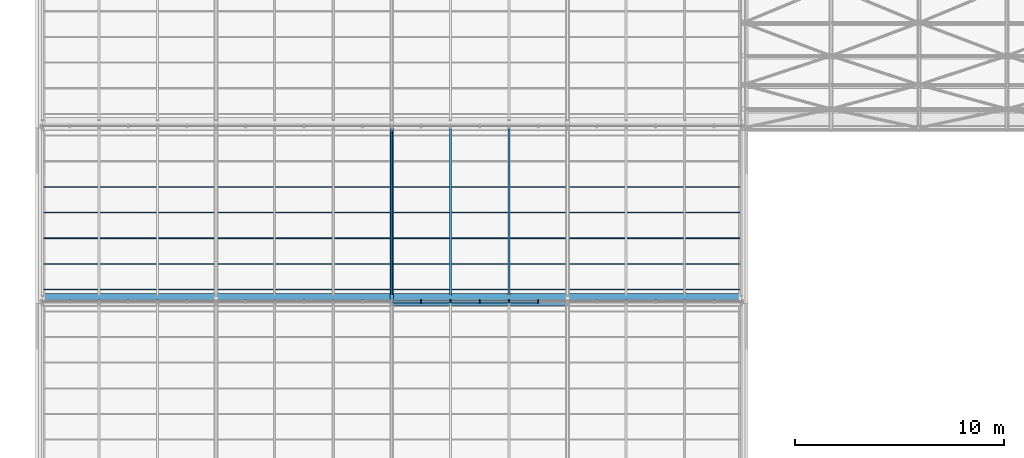
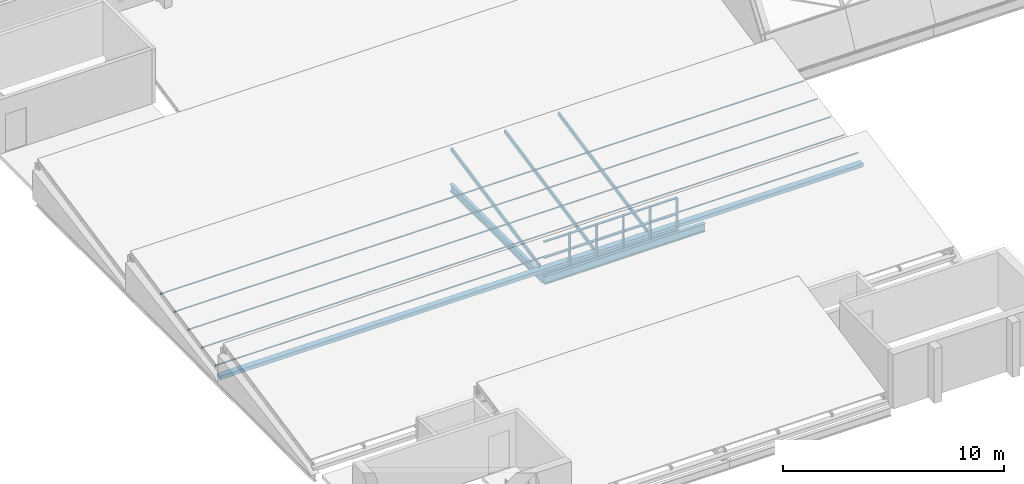
# One storey, part 19 of 121: 29 members, 2 beams, 1 element without a shape of its own.
"""IFC4 building model written with IfcOpenShell, lengths in metres."""

from ifc_helpers import new_model, si_unit, direction, frame, origin, origin_2d, place, context, subcontext, project, spatial, rectangle, hollow_rectangle, i_section, extrude, material, layer, layer_set, material_profile, profile_set, type_object, element, aggregate, save


model = new_model("IFC4")

# Units and contexts
model_context = context("Model", 3, precision=1e-05, world=origin(), true_north=direction((0.0, 1.0)))
body_context = subcontext(model_context, "Body", "Model", "MODEL_VIEW")
ifc_project = project(units=[si_unit("LENGTHUNIT", "METRE"), si_unit("AREAUNIT", "SQUARE_METRE"), si_unit("VOLUMEUNIT", "CUBIC_METRE"), si_unit("PLANEANGLEUNIT", "RADIAN"), si_unit("MASSUNIT", "GRAM", prefix="KILO")], contexts=[model_context])

# Site, building, storey
site_placement = place(None, origin())
site = spatial("IfcSite", under=ifc_project, at=site_placement, CompositionType="ELEMENT")
building_placement = place(site_placement, origin())
building = spatial("IfcBuilding", under=site, at=building_placement, Name="Ardhachandra Cancer Care Centre", CompositionType="ELEMENT")
storey_placement = place(building_placement, frame((0.0, 0.0, 9.0)))
storey = spatial("IfcBuildingStorey", under=building, at=storey_placement, Name="L02", CompositionType="ELEMENT", Elevation=9.0)

# Beams
ifc_material_1 = material(Name="Steel E350 (IS 2062)", Category="steel")
ifc_material_profile_1 = material_profile(ifc_material_1, i_section(OverallWidth=0.179931640625, OverallDepth=0.39990234375, WebThickness=0.008544921875, FlangeThickness=0.013427734375, FilletRadius=0.02099609375, at=origin_2d()), Name="NPB 400x180x66.30")
ifc_profile_set_1 = profile_set([ifc_material_profile_1], Name="Steel E350 (IS 2062)")
beam_type_1 = type_object("IfcBeamType", Name="Beam NPB 400x180x66.30", PredefinedType="BEAM", material=ifc_profile_set_1)
beam_1_placement = place(storey_placement, frame((27.60009765625, 46.199951171875, -0.199951171875), z_axis=(0.0, 1.0, 0.0), x_axis=(-1.0, 0.0, 0.0)))
element("IfcBeam", 1, at=beam_1_placement, inside=storey, type_object=beam_type_1, Name="Roof girder E3-F3", PredefinedType="BEAM", context=body_context, shape_type="SweptSolid", body=[
    extrude(i_section(OverallWidth=0.179931640625, OverallDepth=0.39990234375, WebThickness=0.008544921875, FlangeThickness=0.013427734375, FilletRadius=0.02099609375, at=origin_2d()), origin(), (0.0, 0.0, 1.0), 8.400146484375),
])
ifc_material_2 = material(Name="Steel E350 (IS 2062)", Category="steel")
ifc_material_profile_2 = material_profile(ifc_material_2, i_section(OverallWidth=0.19189453125, OverallDepth=0.4560546875, WebThickness=0.010986328125, FlangeThickness=0.017578125, FilletRadius=0.02099609375, at=origin_2d()), Name="NPB 450x190x92.36")
ifc_profile_set_2 = profile_set([ifc_material_profile_2], Name="Steel E350 (IS 2062)")
beam_type_2 = type_object("IfcBeamType", Name="Beam NPB 450x190x92.36", PredefinedType="BEAM", material=ifc_profile_set_2)
beam_2_placement = place(storey_placement, frame((27.60009765625, 46.199951171875, -0.22802734375), z_axis=(1.0, 0.0, 0.0), x_axis=(0.0, 1.0, 0.0)))
element("IfcBeam", 2, at=beam_2_placement, inside=storey, type_object=beam_type_2, Name="Roof girder E3-E4", PredefinedType="BEAM", context=body_context, shape_type="SweptSolid", body=[
    extrude(i_section(OverallWidth=0.19189453125, OverallDepth=0.4560546875, WebThickness=0.010986328125, FlangeThickness=0.017578125, FilletRadius=0.02099609375, at=origin_2d()), origin(), (0.0, 0.0, 1.0), 8.39990234375),
])

# Curtain wall, members
ifc_material_3 = material(Name="Aluminium extrusion", Category="aluminium")
ifc_layer = layer(ifc_material_3, 0.14990234375)
ifc_layer_set = layer_set([ifc_layer], Name="Aluminium extrusion")
curtain_wall_type = type_object("IfcCurtainWallType", Name="Curtain wall run", PredefinedType="NOTDEFINED", material=ifc_layer_set)
curtain_wall_placement = place(storey_placement, origin())
curtain_wall = element("IfcCurtainWall", 3, at=curtain_wall_placement, inside=storey, type_object=curtain_wall_type, Name="Curtain wall L02 n/0010800_0046300", PredefinedType="NOTDEFINED")
ifc_material_4 = material(Name="Aluminium extrusion", Category="aluminium")
ifc_material_profile_3 = material_profile(ifc_material_4, rectangle(XDim=0.159912109375, YDim=0.06005859375, at=origin_2d()), Name="Curtain wall mullion 60 x 160")
ifc_profile_set_3 = profile_set([ifc_material_profile_3], Name="Aluminium extrusion")
member_type_1 = type_object("IfcMemberType", Name="Curtain wall mullion 60 x 160", PredefinedType="MULLION", material=ifc_profile_set_3)
member_1_placement = place(storey_placement, frame((29.0, 46.300048828125, 0.0), z_axis=(0.0, 0.0, 1.0), x_axis=(0.0, 1.0, 0.0)))
member_1 = element("IfcMember", 4, at=member_1_placement, type_object=member_type_1, Name="CW mullion 14", PredefinedType="MULLION", context=body_context, shape_type="SweptSolid", body=[
    extrude(rectangle(XDim=0.159912109375, YDim=0.06005859375, at=origin_2d()), origin(), (0.0, 0.0, 1.0), 1.820068359375),
])
member_2_placement = place(storey_placement, frame((30.39990234375, 46.300048828125, 0.0), z_axis=(0.0, 0.0, 1.0), x_axis=(0.0, 1.0, 0.0)))
member_2 = element("IfcMember", 5, at=member_2_placement, type_object=member_type_1, Name="CW mullion 15", PredefinedType="MULLION", context=body_context, shape_type="SweptSolid", body=[
    extrude(rectangle(XDim=0.159912109375, YDim=0.06005859375, at=origin_2d()), origin(), (0.0, 0.0, 1.0), 1.820068359375),
])
member_3_placement = place(storey_placement, frame((31.800048828125, 46.300048828125, 0.0), z_axis=(0.0, 0.0, 1.0), x_axis=(0.0, 1.0, 0.0)))
member_3 = element("IfcMember", 6, at=member_3_placement, type_object=member_type_1, Name="CW mullion 16", PredefinedType="MULLION", context=body_context, shape_type="SweptSolid", body=[
    extrude(rectangle(XDim=0.159912109375, YDim=0.06005859375, at=origin_2d()), origin(), (0.0, 0.0, 1.0), 1.820068359375),
])
member_4_placement = place(storey_placement, frame((33.199951171875, 46.300048828125, 0.0), z_axis=(0.0, 0.0, 1.0), x_axis=(0.0, 1.0, 0.0)))
member_4 = element("IfcMember", 7, at=member_4_placement, type_object=member_type_1, Name="CW mullion 17", PredefinedType="MULLION", context=body_context, shape_type="SweptSolid", body=[
    extrude(rectangle(XDim=0.159912109375, YDim=0.06005859375, at=origin_2d()), origin(), (0.0, 0.0, 1.0), 1.820068359375),
])
member_5_placement = place(storey_placement, frame((34.60009765625, 46.300048828125, 0.0), z_axis=(0.0, 0.0, 1.0), x_axis=(0.0, 1.0, 0.0)))
member_5 = element("IfcMember", 8, at=member_5_placement, type_object=member_type_1, Name="CW mullion 18", PredefinedType="MULLION", context=body_context, shape_type="SweptSolid", body=[
    extrude(rectangle(XDim=0.159912109375, YDim=0.06005859375, at=origin_2d()), origin(), (0.0, 0.0, 1.0), 1.820068359375),
])
ifc_material_5 = material(Name="Aluminium extrusion", Category="aluminium")
ifc_material_profile_4 = material_profile(ifc_material_5, rectangle(XDim=0.1201171875, YDim=0.06005859375, at=origin_2d()), Name="Curtain wall transom 60 x 120")
ifc_profile_set_4 = profile_set([ifc_material_profile_4], Name="Aluminium extrusion")
member_type_2 = type_object("IfcMemberType", Name="Curtain wall transom 60 x 120", PredefinedType="USERDEFINED", material=ifc_profile_set_4)
member_6_placement = place(storey_placement, frame((27.6298828125, 46.300048828125, 0.030029296875), z_axis=(1.0, 0.0, 0.0), x_axis=(0.0, 1.0, 0.0)))
member_6 = element("IfcMember", 9, at=member_6_placement, type_object=member_type_2, Name="CW transom 13.1", ObjectType="TRANSOM", PredefinedType="USERDEFINED", context=body_context, shape_type="SweptSolid", body=[
    extrude(rectangle(XDim=0.1201171875, YDim=0.06005859375, at=origin_2d()), origin(), (0.0, 0.0, 1.0), 1.340087890625),
])
member_7_placement = place(storey_placement, frame((27.6298828125, 46.300048828125, 0.909912109375), z_axis=(1.0, 0.0, 0.0), x_axis=(0.0, 1.0, 0.0)))
member_7 = element("IfcMember", 10, at=member_7_placement, type_object=member_type_2, Name="CW transom 13.2", ObjectType="TRANSOM", PredefinedType="USERDEFINED", context=body_context, shape_type="SweptSolid", body=[
    extrude(rectangle(XDim=0.1201171875, YDim=0.06005859375, at=origin_2d()), origin(), (0.0, 0.0, 1.0), 1.340087890625),
])
member_8_placement = place(storey_placement, frame((27.6298828125, 46.300048828125, 1.7900390625), z_axis=(1.0, 0.0, 0.0), x_axis=(0.0, 1.0, 0.0)))
member_8 = element("IfcMember", 11, at=member_8_placement, type_object=member_type_2, Name="CW transom 13.3", ObjectType="TRANSOM", PredefinedType="USERDEFINED", context=body_context, shape_type="SweptSolid", body=[
    extrude(rectangle(XDim=0.1201171875, YDim=0.06005859375, at=origin_2d()), origin(), (0.0, 0.0, 1.0), 1.340087890625),
])
member_9_placement = place(storey_placement, frame((29.030029296875, 46.300048828125, 0.030029296875), z_axis=(1.0, 0.0, 0.0), x_axis=(0.0, 1.0, 0.0)))
member_9 = element("IfcMember", 12, at=member_9_placement, type_object=member_type_2, Name="CW transom 14.1", ObjectType="TRANSOM", PredefinedType="USERDEFINED", context=body_context, shape_type="SweptSolid", body=[
    extrude(rectangle(XDim=0.1201171875, YDim=0.06005859375, at=origin_2d()), origin(), (0.0, 0.0, 1.0), 1.340087890625),
])
member_10_placement = place(storey_placement, frame((29.030029296875, 46.300048828125, 0.909912109375), z_axis=(1.0, 0.0, 0.0), x_axis=(0.0, 1.0, 0.0)))
member_10 = element("IfcMember", 13, at=member_10_placement, type_object=member_type_2, Name="CW transom 14.2", ObjectType="TRANSOM", PredefinedType="USERDEFINED", context=body_context, shape_type="SweptSolid", body=[
    extrude(rectangle(XDim=0.1201171875, YDim=0.06005859375, at=origin_2d()), origin(), (0.0, 0.0, 1.0), 1.340087890625),
])
member_11_placement = place(storey_placement, frame((29.030029296875, 46.300048828125, 1.7900390625), z_axis=(1.0, 0.0, 0.0), x_axis=(0.0, 1.0, 0.0)))
member_11 = element("IfcMember", 14, at=member_11_placement, type_object=member_type_2, Name="CW transom 14.3", ObjectType="TRANSOM", PredefinedType="USERDEFINED", context=body_context, shape_type="SweptSolid", body=[
    extrude(rectangle(XDim=0.1201171875, YDim=0.06005859375, at=origin_2d()), origin(), (0.0, 0.0, 1.0), 1.340087890625),
])
member_12_placement = place(storey_placement, frame((30.429931640625, 46.300048828125, 0.030029296875), z_axis=(1.0, 0.0, 0.0), x_axis=(0.0, 1.0, 0.0)))
member_12 = element("IfcMember", 15, at=member_12_placement, type_object=member_type_2, Name="CW transom 15.1", ObjectType="TRANSOM", PredefinedType="USERDEFINED", context=body_context, shape_type="SweptSolid", body=[
    extrude(rectangle(XDim=0.1201171875, YDim=0.06005859375, at=origin_2d()), origin(), (0.0, 0.0, 1.0), 1.340087890625),
])
member_13_placement = place(storey_placement, frame((30.429931640625, 46.300048828125, 0.909912109375), z_axis=(1.0, 0.0, 0.0), x_axis=(0.0, 1.0, 0.0)))
member_13 = element("IfcMember", 16, at=member_13_placement, type_object=member_type_2, Name="CW transom 15.2", ObjectType="TRANSOM", PredefinedType="USERDEFINED", context=body_context, shape_type="SweptSolid", body=[
    extrude(rectangle(XDim=0.1201171875, YDim=0.06005859375, at=origin_2d()), origin(), (0.0, 0.0, 1.0), 1.340087890625),
])
member_14_placement = place(storey_placement, frame((30.429931640625, 46.300048828125, 1.7900390625), z_axis=(1.0, 0.0, 0.0), x_axis=(0.0, 1.0, 0.0)))
member_14 = element("IfcMember", 17, at=member_14_placement, type_object=member_type_2, Name="CW transom 15.3", ObjectType="TRANSOM", PredefinedType="USERDEFINED", context=body_context, shape_type="SweptSolid", body=[
    extrude(rectangle(XDim=0.1201171875, YDim=0.06005859375, at=origin_2d()), origin(), (0.0, 0.0, 1.0), 1.340087890625),
])
member_15_placement = place(storey_placement, frame((31.830078125, 46.300048828125, 0.030029296875), z_axis=(1.0, 0.0, 0.0), x_axis=(0.0, 1.0, 0.0)))
member_15 = element("IfcMember", 18, at=member_15_placement, type_object=member_type_2, Name="CW transom 16.1", ObjectType="TRANSOM", PredefinedType="USERDEFINED", context=body_context, shape_type="SweptSolid", body=[
    extrude(rectangle(XDim=0.1201171875, YDim=0.06005859375, at=origin_2d()), origin(), (0.0, 0.0, 1.0), 1.33984375),
])
member_16_placement = place(storey_placement, frame((31.830078125, 46.300048828125, 0.909912109375), z_axis=(1.0, 0.0, 0.0), x_axis=(0.0, 1.0, 0.0)))
member_16 = element("IfcMember", 19, at=member_16_placement, type_object=member_type_2, Name="CW transom 16.2", ObjectType="TRANSOM", PredefinedType="USERDEFINED", context=body_context, shape_type="SweptSolid", body=[
    extrude(rectangle(XDim=0.1201171875, YDim=0.06005859375, at=origin_2d()), origin(), (0.0, 0.0, 1.0), 1.33984375),
])
member_17_placement = place(storey_placement, frame((31.830078125, 46.300048828125, 1.7900390625), z_axis=(1.0, 0.0, 0.0), x_axis=(0.0, 1.0, 0.0)))
member_17 = element("IfcMember", 20, at=member_17_placement, type_object=member_type_2, Name="CW transom 16.3", ObjectType="TRANSOM", PredefinedType="USERDEFINED", context=body_context, shape_type="SweptSolid", body=[
    extrude(rectangle(XDim=0.1201171875, YDim=0.06005859375, at=origin_2d()), origin(), (0.0, 0.0, 1.0), 1.33984375),
])
member_18_placement = place(storey_placement, frame((33.22998046875, 46.300048828125, 0.030029296875), z_axis=(1.0, 0.0, 0.0), x_axis=(0.0, 1.0, 0.0)))
member_18 = element("IfcMember", 21, at=member_18_placement, type_object=member_type_2, Name="CW transom 17.1", ObjectType="TRANSOM", PredefinedType="USERDEFINED", context=body_context, shape_type="SweptSolid", body=[
    extrude(rectangle(XDim=0.1201171875, YDim=0.06005859375, at=origin_2d()), origin(), (0.0, 0.0, 1.0), 1.340087890625),
])
member_19_placement = place(storey_placement, frame((33.22998046875, 46.300048828125, 0.909912109375), z_axis=(1.0, 0.0, 0.0), x_axis=(0.0, 1.0, 0.0)))
member_19 = element("IfcMember", 22, at=member_19_placement, type_object=member_type_2, Name="CW transom 17.2", ObjectType="TRANSOM", PredefinedType="USERDEFINED", context=body_context, shape_type="SweptSolid", body=[
    extrude(rectangle(XDim=0.1201171875, YDim=0.06005859375, at=origin_2d()), origin(), (0.0, 0.0, 1.0), 1.340087890625),
])
member_20_placement = place(storey_placement, frame((33.22998046875, 46.300048828125, 1.7900390625), z_axis=(1.0, 0.0, 0.0), x_axis=(0.0, 1.0, 0.0)))
member_20 = element("IfcMember", 23, at=member_20_placement, type_object=member_type_2, Name="CW transom 17.3", ObjectType="TRANSOM", PredefinedType="USERDEFINED", context=body_context, shape_type="SweptSolid", body=[
    extrude(rectangle(XDim=0.1201171875, YDim=0.06005859375, at=origin_2d()), origin(), (0.0, 0.0, 1.0), 1.340087890625),
])
aggregate(curtain_wall, [member_1, member_2, member_3, member_4, member_5, member_6, member_7, member_8, member_9, member_10, member_11, member_12, member_13, member_14, member_15, member_16, member_17, member_18, member_19, member_20])

# Members
ifc_material_6 = material(Name="Steel E350 (IS 2062)", Category="steel")
ifc_material_profile_5 = material_profile(ifc_material_6, hollow_rectangle(XDim=0.0400390625, YDim=0.080078125, WallThickness=0.00390625, InnerFilletRadius=0.00390625, OuterFilletRadius=0.008056640625, at=origin_2d()), Name="RHS 80x40x4.0")
ifc_profile_set_5 = profile_set([ifc_material_profile_5], Name="Steel E350 (IS 2062)")
member_type_3 = type_object("IfcMemberType", Name="Roof purlin RHS 80x40x4.0", PredefinedType="PURLIN", material=ifc_profile_set_5)
for number, where, z_axis, x_axis, name in (
    (24, (10.800048828125, 46.872314453125, 0.5), (1.0, 0.0, 0.0), (0.0, 0.980106641092, 0.198471590126), "Purlin T3a.1"),
    (25, (10.800048828125, 48.09912109375, 0.74853515625), (1.0, 0.0, 0.0), (0.0, 0.980106641092, 0.198471590126), "Purlin T3a.2"),
    (26, (10.800048828125, 49.32568359375, 0.996826171875), (1.0, 0.0, 0.0), (0.0, 0.980106641092, 0.198471590126), "Purlin T3a.3"),
    (27, (10.800048828125, 50.55224609375, 1.2451171875), (1.0, 0.0, 0.0), (0.0, 0.980106641092, 0.198471590126), "Purlin T3a.4"),
    (28, (10.800048828125, 51.779052734375, 1.49365234375), (1.0, 0.0, 0.0), (0.0, 0.980106641092, 0.198471590126), "Purlin T3a.5"),
):
    element("IfcMember", number, at=place(storey_placement, frame(where, z_axis=z_axis, x_axis=x_axis)), inside=storey, type_object=member_type_3, Name=name, PredefinedType="PURLIN", context=body_context, shape_type="SweptSolid", body=[
        extrude(hollow_rectangle(XDim=0.0400390625, YDim=0.080078125, WallThickness=0.00390625, InnerFilletRadius=0.00390625, OuterFilletRadius=0.008056640625, at=origin_2d()), origin(), (0.0, 0.0, 1.0), 33.599853515625),
    ])
ifc_material_7 = material(Name="Steel E350 (IS 2062)", Category="steel")
ifc_material_profile_6 = material_profile(ifc_material_7, hollow_rectangle(XDim=0.10009765625, YDim=0.199951171875, WallThickness=0.006103515625, InnerFilletRadius=0.006103515625, OuterFilletRadius=0.011962890625, at=origin_2d()), Name="RHS 200x100x6.0")
ifc_profile_set_6 = profile_set([ifc_material_profile_6], Name="Steel E350 (IS 2062)")
member_type_4 = type_object("IfcMemberType", Name="Roof rafter RHS 200x100x6.0", PredefinedType="RAFTER", material=ifc_profile_set_6)
for number, where, z_axis, x_axis, name in (
    (29, (27.60009765625, 46.580078125, 0.298095703125), (0.0, 0.980109665583, 0.198456653782), (-1.0, 0.0, 0.0), "Rafter T3a.7"),
    (30, (30.39990234375, 46.580078125, 0.298095703125), (0.0, 0.980109665583, 0.198456653782), (-1.0, 0.0, 0.0), "Rafter T3a.8"),
    (31, (33.199951171875, 46.580078125, 0.298095703125), (0.0, 0.980109665583, 0.198456653782), (-1.0, 0.0, 0.0), "Rafter T3a.9"),
):
    element("IfcMember", number, at=place(storey_placement, frame(where, z_axis=z_axis, x_axis=x_axis)), inside=storey, type_object=member_type_4, Name=name, PredefinedType="RAFTER", context=body_context, shape_type="SweptSolid", body=[
        extrude(hollow_rectangle(XDim=0.10009765625, YDim=0.199951171875, WallThickness=0.006103515625, InnerFilletRadius=0.006103515625, OuterFilletRadius=0.011962890625, at=origin_2d()), origin(), (0.0, 0.0, 1.0), 8.162353515625),
    ])
ifc_material_8 = material(Name="Stainless steel sheet gutter on galvanised steel cradle", Category="steel")
ifc_material_profile_7 = material_profile(ifc_material_8, rectangle(XDim=0.300048828125, YDim=0.199951171875, at=origin_2d()), Name="Valley gutter 300 x 200")
ifc_profile_set_7 = profile_set([ifc_material_profile_7], Name="Stainless steel sheet gutter on galvanised steel cradle")
member_type_5 = type_object("IfcMemberType", Name="Valley gutter 300 x 200", PredefinedType="USERDEFINED", material=ifc_profile_set_7)
member_21_placement = place(storey_placement, frame((10.800048828125, 46.5400390625, 0.10009765625), z_axis=(1.0, 0.0, 0.0), x_axis=(0.0, 1.0, 0.0)))
element("IfcMember", 32, at=member_21_placement, inside=storey, type_object=member_type_5, Name="Valley gutter T3a", ObjectType="GUTTER", PredefinedType="USERDEFINED", context=body_context, shape_type="SweptSolid", body=[
    extrude(rectangle(XDim=0.300048828125, YDim=0.199951171875, at=origin_2d()), origin(), (0.0, 0.0, 1.0), 33.599853515625),
])

save(model, "model.ifc")
